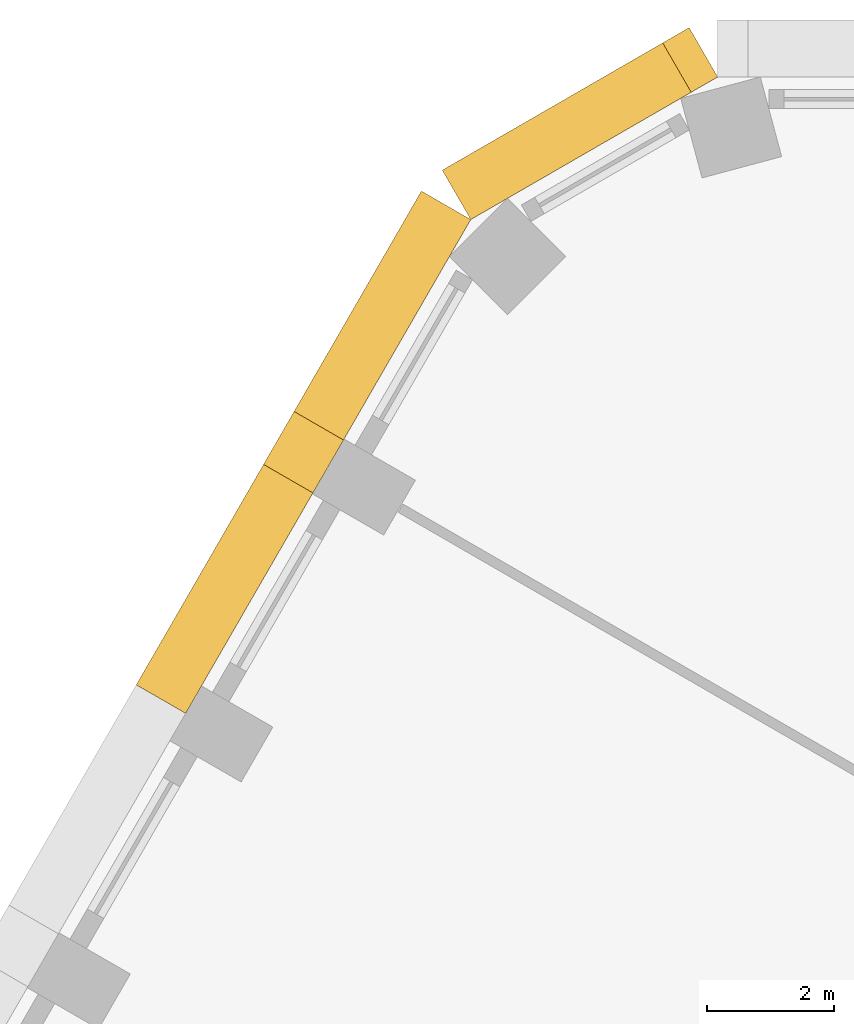
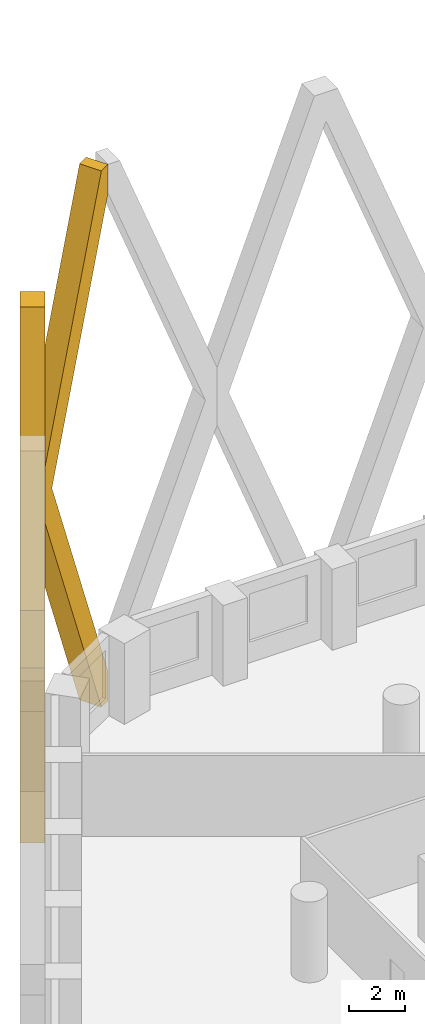
# One storey, part 16 of 18: 2 coverings.
"""IFC4 building model written with IfcOpenShell, lengths in metres."""

from ifc_helpers import new_model, si_unit, direction, frame, origin, place, context, subcontext, project, spatial, polyline, outline, extrude, material, type_object, element, save


model = new_model("IFC4")

# Units and contexts
model_context = context("Model", 3, precision=1e-05, world=origin(), true_north=direction((0.0, 1.0)))
body_context = subcontext(model_context, "Body", "Model", "MODEL_VIEW")
ifc_project = project(units=[si_unit("LENGTHUNIT", "METRE"), si_unit("AREAUNIT", "SQUARE_METRE"), si_unit("VOLUMEUNIT", "CUBIC_METRE"), si_unit("PLANEANGLEUNIT", "RADIAN"), si_unit("MASSUNIT", "GRAM", prefix="KILO")], contexts=[model_context])

# Site, building, storey
site_placement = place(None, origin())
site = spatial("IfcSite", under=ifc_project, at=site_placement, CompositionType="ELEMENT")
building_placement = place(site_placement, origin())
building = spatial("IfcBuilding", under=site, at=building_placement, Name="Dhurran Vertical Campus", CompositionType="ELEMENT")
storey_placement = place(building_placement, frame((0.0, 0.0, 81.300048828125)))
storey = spatial("IfcBuildingStorey", under=building, at=storey_placement, Name="L19", CompositionType="ELEMENT", Elevation=81.300048828125)

# Coverings
ifc_material = material(Name="Precast concrete C50/60", Category="concrete")
covering_type = type_object("IfcCoveringType", Name="Folded precast fin lattice diamond", PredefinedType="USERDEFINED", material=ifc_material)
covering_1_placement = place(storey_placement, frame((-20.25, 31.77978515625, 0.0), z_axis=(-0.50001992892, 0.866013897511, 0.0), x_axis=(-0.866013897511, -0.50001992892, 0.0)))
element("IfcCovering", 1, at=covering_1_placement, inside=storey, type_object=covering_type, Name="FN1 L19.022", ObjectType="FIN", PredefinedType="USERDEFINED", context=body_context, shape_type="SweptSolid", body=[
    extrude(outline(polyline([(4.5, 10.4462890625), (0.482177734375, 0.0), (0.0, 0.0), (0.0, 1.253662109375), (4.017822265625, 11.699951171875), (0.0, 22.146484375), (0.0, 23.39990234375), (0.482177734375, 23.39990234375), (4.5, 12.95361328125), (4.5, 10.4462890625)])), origin(), (0.0, 0.0, 1.0), 0.89990234375),
])
covering_2_placement = place(storey_placement, frame((-24.147216796875, 29.52978515625, 0.0), z_axis=(-0.866013897511, 0.50001992892, 0.0), x_axis=(-0.50001992892, -0.866013897511, 0.0)))
element("IfcCovering", 2, at=covering_2_placement, inside=storey, type_object=covering_type, Name="FN1 L19.023", ObjectType="FIN", PredefinedType="USERDEFINED", context=body_context, shape_type="SweptSolid", body=[
    extrude(outline(polyline([(9.0, 12.95361328125), (9.0, 10.4462890625), (4.982177734375, 0.0), (4.017822265625, 0.0), (0.0, 10.4462890625), (0.0, 12.95361328125), (4.017822265625, 23.39990234375), (4.982177734375, 23.39990234375), (9.0, 12.95361328125)]), holes=[polyline([(8.517822265625, 11.699951171875), (4.5, 22.146484375), (0.482177734375, 11.699951171875), (4.5, 1.253662109375), (8.517822265625, 11.699951171875)])]), origin(), (0.0, 0.0, 1.0), 0.89990234375),
])

save(model, "model.ifc")
